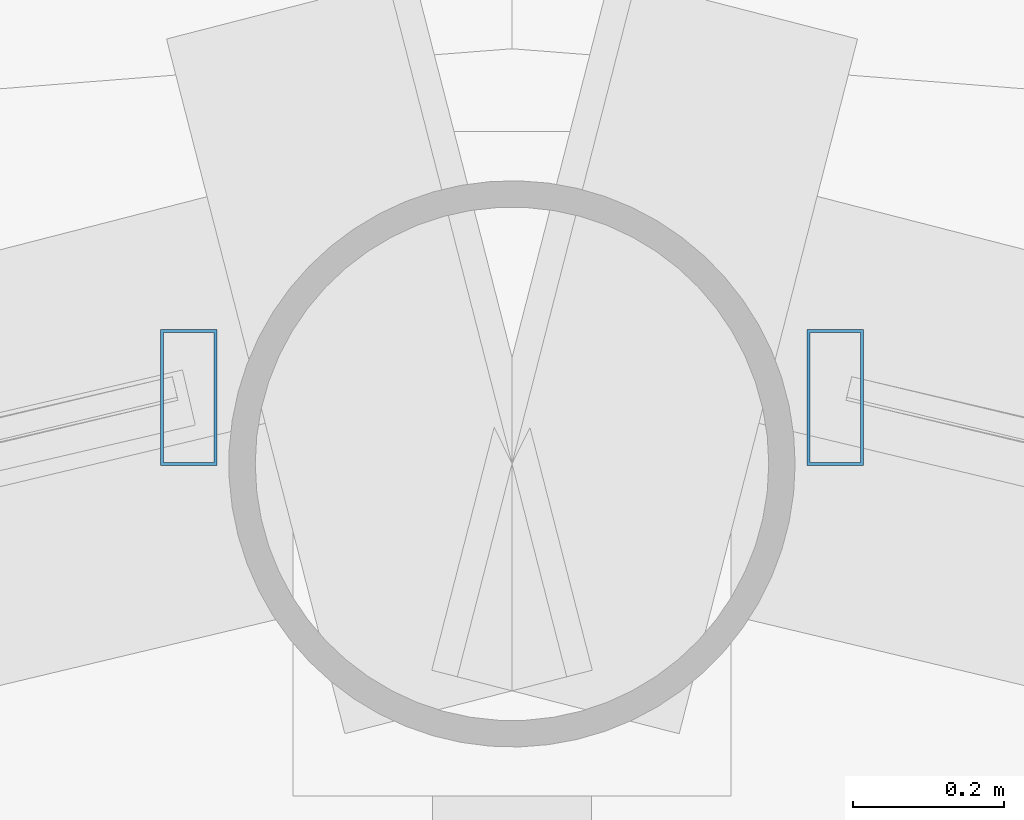
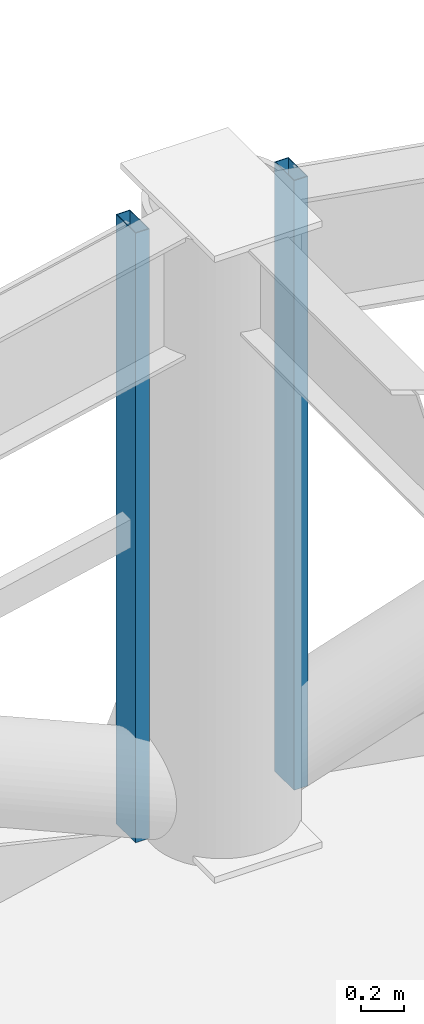
# One storey, part 16 of 29: 2 members, 2 elements without a shape of their own.
"""IFC4 building model written with IfcOpenShell, lengths in metres."""

from ifc_helpers import new_model, si_unit, direction, frame, origin, origin_2d, place, context, subcontext, project, spatial, hollow_rectangle, extrude, material, layer, layer_set, material_profile, profile_set, type_object, element, aggregate, save


model = new_model("IFC4")

# Units and contexts
model_context = context("Model", 3, precision=1e-05, world=origin(), true_north=direction((0.0, 1.0)))
body_context = subcontext(model_context, "Body", "Model", "MODEL_VIEW")
ifc_project = project(units=[si_unit("LENGTHUNIT", "METRE"), si_unit("AREAUNIT", "SQUARE_METRE"), si_unit("VOLUMEUNIT", "CUBIC_METRE"), si_unit("PLANEANGLEUNIT", "RADIAN"), si_unit("MASSUNIT", "GRAM", prefix="KILO")], contexts=[model_context])

# Site, building, storey
site_placement = place(None, origin())
site = spatial("IfcSite", under=ifc_project, at=site_placement, CompositionType="ELEMENT")
building_placement = place(site_placement, origin())
building = spatial("IfcBuilding", under=site, at=building_placement, Name="Vantalir Tower", CompositionType="ELEMENT")
storey_placement = place(building_placement, frame((0.0, 0.0, 157.199951171875)))
storey = spatial("IfcBuildingStorey", under=building, at=storey_placement, Name="L39", CompositionType="ELEMENT", Elevation=157.199951171875)

# Curtain wall, member
ifc_material_1 = material(Name="Champagne-silver PVDF aluminium and double-silver Low-E glass", Category="aluminium")
ifc_layer = layer(ifc_material_1, 0.199951171875)
ifc_layer_set = layer_set([ifc_layer], Name="Champagne-silver PVDF aluminium and double-silver Low-E glass")
curtain_wall_type = type_object("IfcCurtainWallType", Name="CW-DIAMOND-Z2", PredefinedType="USERDEFINED", material=ifc_layer_set)
curtain_wall_1_placement = place(storey_placement, origin())
curtain_wall_1 = element("IfcCurtainWall", 1, at=curtain_wall_1_placement, inside=storey, type_object=curtain_wall_type, Name="L39 Quilted Pyramid-Diamond Curtain Wall S03", ObjectType="UNITISED CURTAIN WALL", PredefinedType="USERDEFINED")
ifc_material_2 = material(Name="Champagne-silver PVDF aluminium 6063-T6", Category="aluminium")
ifc_material_profile = material_profile(ifc_material_2, hollow_rectangle(XDim=0.074951171875, YDim=0.179931640625, WallThickness=0.00390625, at=origin_2d()), Name="Champagne-silver PVDF aluminium 6063-T6")
ifc_profile_set = profile_set([ifc_material_profile], Name="Champagne-silver PVDF aluminium 6063-T6")
member_type = type_object("IfcMemberType", Name="CWM-180x75", PredefinedType="MULLION", material=ifc_profile_set)
member_1_placement = place(storey_placement, frame((31.927978515625, 47.156982421875, 0.045166015625), z_axis=(0.0, 0.0, 1.0), x_axis=(1.0, 0.0, 0.0)))
member_1 = element("IfcMember", 2, at=member_1_placement, type_object=member_type, Name="CW-L39-S03 Mullion 2", PredefinedType="MULLION", context=body_context, shape_type="SweptSolid", body=[
    extrude(hollow_rectangle(XDim=0.074951171875, YDim=0.179931640625, WallThickness=0.00390625, at=origin_2d()), origin(), (0.0, 0.0, 1.0), 3.47998046875),
])
aggregate(curtain_wall_1, [member_1])

curtain_wall_2_placement = place(storey_placement, origin())
curtain_wall_2 = element("IfcCurtainWall", 3, at=curtain_wall_2_placement, inside=storey, type_object=curtain_wall_type, Name="L39 Quilted Pyramid-Diamond Curtain Wall S04", ObjectType="UNITISED CURTAIN WALL", PredefinedType="USERDEFINED")
member_2_placement = place(storey_placement, frame((31.072021484375, 47.156982421875, 0.045166015625), z_axis=(0.0, 0.0, 1.0), x_axis=(1.0, 0.0, 0.0)))
member_2 = element("IfcMember", 4, at=member_2_placement, type_object=member_type, Name="CW-L39-S04 Mullion 1", PredefinedType="MULLION", context=body_context, shape_type="SweptSolid", body=[
    extrude(hollow_rectangle(XDim=0.074951171875, YDim=0.179931640625, WallThickness=0.00390625, at=origin_2d()), origin(), (0.0, 0.0, 1.0), 3.47998046875),
])
aggregate(curtain_wall_2, [member_2])

save(model, "model.ifc")
